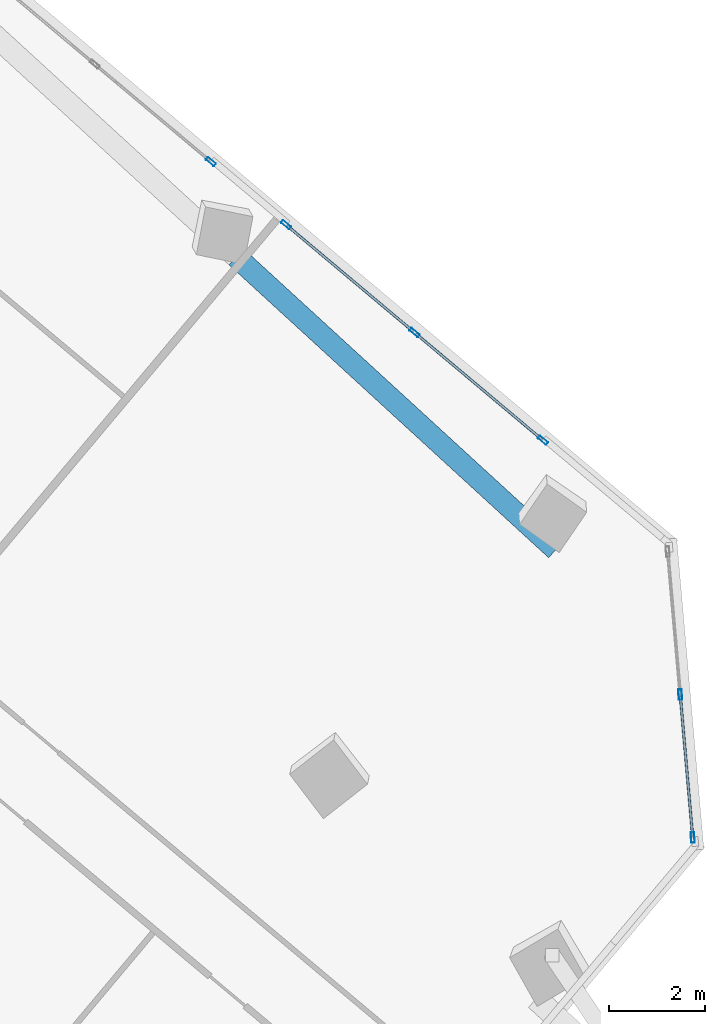
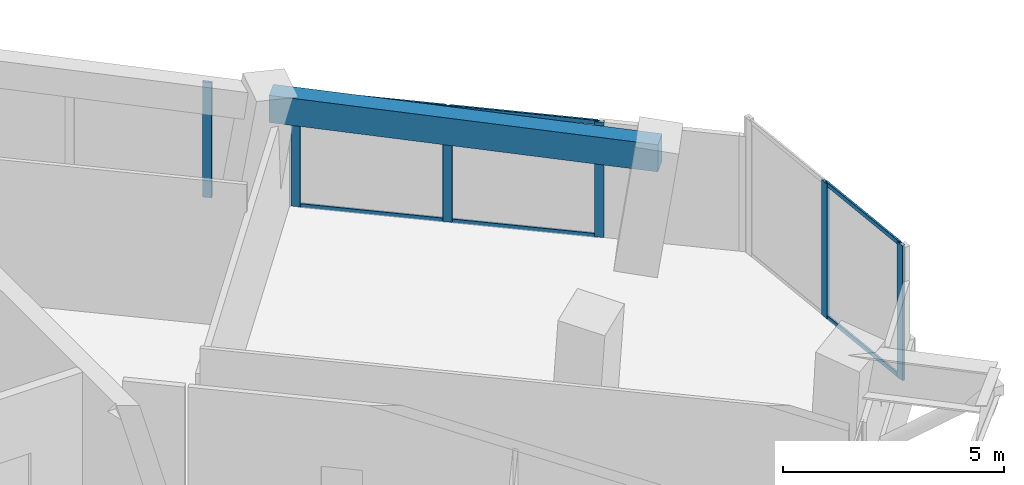
# One storey, part 8 of 18: 12 members, 1 beam, 3 elements without a shape of their own.
"""IFC4 building model written with IfcOpenShell, lengths in metres."""

from ifc_helpers import new_model, si_unit, direction, frame, origin, origin_2d, place, context, subcontext, project, spatial, rectangle, hollow_rectangle, extrude, source, transform, mapped, material, material_profile, profile_set, type_object, element, aggregate, save


model = new_model("IFC4")

# Units and contexts
model_context = context("Model", 3, precision=1e-05, world=origin(), true_north=direction((0.0, 1.0)))
body_context = subcontext(model_context, "Body", "Model", "MODEL_VIEW")
ifc_project = project(units=[si_unit("LENGTHUNIT", "METRE"), si_unit("AREAUNIT", "SQUARE_METRE"), si_unit("VOLUMEUNIT", "CUBIC_METRE"), si_unit("PLANEANGLEUNIT", "RADIAN"), si_unit("MASSUNIT", "GRAM", prefix="KILO")], contexts=[model_context])

# Site, building, storey
site_placement = place(None, origin())
site = spatial("IfcSite", under=ifc_project, at=site_placement, CompositionType="ELEMENT")
building_placement = place(site_placement, origin())
building = spatial("IfcBuilding", under=site, at=building_placement, Name="Torre Montelarca", CompositionType="ELEMENT")
storey_placement = place(building_placement, frame((0.0, 0.0, 224.800048828125)))
storey = spatial("IfcBuildingStorey", under=building, at=storey_placement, Name="L50", CompositionType="ELEMENT", Elevation=224.800048828125)

# Beam
ifc_material_1 = material(Name="Concrete C55/67", Category="concrete")
ifc_material_profile_1 = material_profile(ifc_material_1, rectangle(XDim=0.449951171875, YDim=0.75, at=origin_2d()), Name="RCB450X750", Category="concrete")
ifc_profile_set_1 = profile_set([ifc_material_profile_1], Name="Concrete C55/67")
beam_type = type_object("IfcBeamType", Name="BM-SP-RC750-EXT", PredefinedType="SPANDREL", material=ifc_profile_set_1)
shared_shape_1 = source(origin(), body_context, "Body", "SweptSolid", [
    extrude(rectangle(XDim=0.449951171875, YDim=0.75, at=origin_2d()), origin(), (0.0, 0.0, 1.0), 9.0),
])
beam_placement = place(storey_placement, frame((35.790283203125, 39.4541015625, 3.5849609375), z_axis=(0.73727686361, -0.675590724023, 0.0), x_axis=(0.675590724023, 0.73727686361, 0.0)))
element("IfcBeam", 1, at=beam_placement, inside=storey, type_object=beam_type, Name="L50 Grid Girder X 27.0-36.0 at Y=47.1", PredefinedType="SPANDREL", context=body_context, shape_type="MappedRepresentation", body=[
    mapped(shared_shape_1, transform((0.0, 0.0, 0.0), scale=1.0)),
])

# Curtain wall, members
ifc_material_2 = material(Name="Insulated low-E laminated glass", Category="glass")
curtain_wall_type = type_object("IfcCurtainWallType", Name="CW-SYS-Z3", PredefinedType="USERDEFINED", material=ifc_material_2)
curtain_wall_1_placement = place(storey_placement, origin())
curtain_wall_1 = element("IfcCurtainWall", 2, at=curtain_wall_1_placement, inside=storey, type_object=curtain_wall_type, Name="L50 Curtain Wall Run CW-T3-L50-E08-B1", ObjectType="UNITISED GLAZING", PredefinedType="USERDEFINED")
ifc_material_3 = material(Name="Anodised aluminium AA 6063-T6", Category="aluminium")
ifc_material_profile_2 = material_profile(ifc_material_3, hollow_rectangle(XDim=0.054931640625, YDim=0.1201171875, WallThickness=0.00341796875, InnerFilletRadius=0.00341796875, OuterFilletRadius=0.007080078125, at=origin_2d()), Name="ALU55X120X3.5", Category="aluminium")
ifc_profile_set_2 = profile_set([ifc_material_profile_2], Name="Anodised aluminium AA 6063-T6")
member_type_1 = type_object("IfcMemberType", Name="CWT-ALU120", PredefinedType="USERDEFINED", material=ifc_profile_set_2)
shared_shape_2 = source(origin(), body_context, "Body", "SweptSolid", [
    extrude(hollow_rectangle(XDim=0.054931640625, YDim=0.1201171875, WallThickness=0.00341796875, InnerFilletRadius=0.00341796875, OuterFilletRadius=0.007080078125, at=origin_2d()), origin(), (0.0, 0.0, 1.0), 3.40771484375),
])
member_1_placement = place(storey_placement, frame((42.129150390625, 35.66796875, 0.02734375), z_axis=(-0.766032210407, 0.642802187783, 0.0), x_axis=(-0.642802187783, -0.766032210407, 0.0)))
member_1 = element("IfcMember", 3, at=member_1_placement, type_object=member_type_1, Name="CW transom 1.1", ObjectType="TRANSOM", PredefinedType="USERDEFINED", context=body_context, shape_type="MappedRepresentation", body=[
    mapped(shared_shape_2, transform((0.0, 0.0, 0.0), scale=1.0)),
])
member_2_placement = place(storey_placement, frame((42.129150390625, 35.66796875, 3.1474609375), z_axis=(-0.766032210407, 0.642802187783, 0.0), x_axis=(-0.642802187783, -0.766032210407, 0.0)))
member_2 = element("IfcMember", 4, at=member_2_placement, type_object=member_type_1, Name="CW transom 1.2", ObjectType="TRANSOM", PredefinedType="USERDEFINED", context=body_context, shape_type="MappedRepresentation", body=[
    mapped(shared_shape_2, transform((0.0, 0.0, 0.0), scale=1.0)),
])

curtain_wall_2_placement = place(storey_placement, origin())
curtain_wall_2 = element("IfcCurtainWall", 5, at=curtain_wall_2_placement, inside=storey, type_object=curtain_wall_type, Name="L50 Curtain Wall Run CW-T3-L50-E07-B1", ObjectType="UNITISED GLAZING", PredefinedType="USERDEFINED")
shared_shape_3 = source(origin(), body_context, "Body", "SweptSolid", [
    extrude(hollow_rectangle(XDim=0.054931640625, YDim=0.1201171875, WallThickness=0.00341796875, InnerFilletRadius=0.00341796875, OuterFilletRadius=0.007080078125, at=origin_2d()), origin(), (0.0, 0.0, 1.0), 2.9033203125),
])
member_3_placement = place(storey_placement, frame((45.263671875, 27.435791015625, 0.02734375), z_axis=(-0.08719928677, 0.996190887524, 0.0), x_axis=(-0.996190887524, -0.08719928677, 0.0)))
member_3 = element("IfcMember", 6, at=member_3_placement, type_object=member_type_1, Name="CW transom 1.1", ObjectType="TRANSOM", PredefinedType="USERDEFINED", context=body_context, shape_type="MappedRepresentation", body=[
    mapped(shared_shape_3, transform((0.0, 0.0, 0.0), scale=1.0)),
])
member_4_placement = place(storey_placement, frame((45.263671875, 27.435791015625, 3.6923828125), z_axis=(-0.08719928677, 0.996190887524, 0.0), x_axis=(-0.996190887524, -0.08719928677, 0.0)))
member_4 = element("IfcMember", 7, at=member_4_placement, type_object=member_type_1, Name="CW transom 1.2", ObjectType="TRANSOM", PredefinedType="USERDEFINED", context=body_context, shape_type="MappedRepresentation", body=[
    mapped(shared_shape_3, transform((0.0, 0.0, 0.0), scale=1.0)),
])

# Member
shared_shape_4 = source(origin(), body_context, "Body", "SweptSolid", [
    extrude(hollow_rectangle(XDim=0.054931640625, YDim=0.1201171875, WallThickness=0.00341796875, InnerFilletRadius=0.00341796875, OuterFilletRadius=0.007080078125, at=origin_2d()), origin(), (0.0, 0.0, 1.0), 3.407470703125),
])
member_5_placement = place(storey_placement, frame((39.46142578125, 37.906494140625, 0.02734375), z_axis=(-0.766067489569, 0.642760142997, 0.0), x_axis=(-0.642760142997, -0.766067489569, 0.0)))
member_5 = element("IfcMember", 8, at=member_5_placement, type_object=member_type_1, Name="CW transom 2.1", ObjectType="TRANSOM", PredefinedType="USERDEFINED", context=body_context, shape_type="MappedRepresentation", body=[
    mapped(shared_shape_4, transform((0.0, 0.0, 0.0), scale=1.0)),
])

member_6_placement = place(storey_placement, frame((39.46142578125, 37.906494140625, 3.1474609375), z_axis=(-0.766067489569, 0.642760142997, 0.0), x_axis=(-0.642760142997, -0.766067489569, 0.0)))
member_6 = element("IfcMember", 9, at=member_6_placement, type_object=member_type_1, Name="CW transom 2.2", ObjectType="TRANSOM", PredefinedType="USERDEFINED", context=body_context, shape_type="MappedRepresentation", body=[
    mapped(shared_shape_4, transform((0.0, 0.0, 0.0), scale=1.0)),
])

ifc_material_profile_3 = material_profile(ifc_material_3, hollow_rectangle(XDim=0.074951171875, YDim=0.219970703125, WallThickness=0.0048828125, InnerFilletRadius=0.0048828125, OuterFilletRadius=0.010009765625, at=origin_2d()), Name="ALU75X220X5", Category="aluminium")
ifc_profile_set_3 = profile_set([ifc_material_profile_3], Name="Anodised aluminium AA 6063-T6")
member_type_2 = type_object("IfcMemberType", Name="CWM-ALU220", PredefinedType="MULLION", material=ifc_profile_set_3)
shared_shape_5 = source(origin(), body_context, "Body", "SweptSolid", [
    extrude(hollow_rectangle(XDim=0.074951171875, YDim=0.219970703125, WallThickness=0.0048828125, InnerFilletRadius=0.0048828125, OuterFilletRadius=0.010009765625, at=origin_2d()), origin(), (0.0, 0.0, 1.0), 3.719970703125),
])
member_7_placement = place(storey_placement, frame((45.266845703125, 27.3984375, 0.0), z_axis=(0.0, 0.0, 1.0), x_axis=(-0.996192349816, -0.087182579501, 0.0)))
member_7 = element("IfcMember", 10, at=member_7_placement, type_object=member_type_2, Name="CW mullion 1", PredefinedType="MULLION", context=body_context, shape_type="MappedRepresentation", body=[
    mapped(shared_shape_5, transform((0.0, 0.0, 0.0), scale=1.0)),
])

member_8_placement = place(storey_placement, frame((45.007080078125, 30.365478515625, 0.0), z_axis=(0.0, 0.0, 1.0), x_axis=(-0.996192349816, -0.087182579501, 0.0)))
member_8 = element("IfcMember", 11, at=member_8_placement, type_object=member_type_2, Name="CW mullion 2", PredefinedType="MULLION", context=body_context, shape_type="MappedRepresentation", body=[
    mapped(shared_shape_5, transform((0.0, 0.0, 0.0), scale=1.0)),
])

aggregate(curtain_wall_2, [member_7, member_8, member_3, member_4])

shared_shape_6 = source(origin(), body_context, "Body", "SweptSolid", [
    extrude(hollow_rectangle(XDim=0.074951171875, YDim=0.219970703125, WallThickness=0.0048828125, InnerFilletRadius=0.0048828125, OuterFilletRadius=0.010009765625, at=origin_2d()), origin(), (0.0, 0.0, 1.0), 3.175048828125),
])
member_9_placement = place(storey_placement, frame((42.15771484375, 35.643798828125, 0.0), z_axis=(0.0, 0.0, 1.0), x_axis=(-0.642789243392, -0.766043072274, 0.0)))
member_9 = element("IfcMember", 12, at=member_9_placement, type_object=member_type_2, Name="CW mullion 1", PredefinedType="MULLION", context=body_context, shape_type="MappedRepresentation", body=[
    mapped(shared_shape_6, transform((0.0, 0.0, 0.0), scale=1.0)),
])

member_10_placement = place(storey_placement, frame((39.489990234375, 37.88232421875, 0.0), z_axis=(0.0, 0.0, 1.0), x_axis=(-0.642789243392, -0.766043072274, 0.0)))
member_10 = element("IfcMember", 13, at=member_10_placement, type_object=member_type_2, Name="CW mullion 2", PredefinedType="MULLION", context=body_context, shape_type="MappedRepresentation", body=[
    mapped(shared_shape_6, transform((0.0, 0.0, 0.0), scale=1.0)),
])

member_11_placement = place(storey_placement, frame((36.822265625, 40.120849609375, 0.0), z_axis=(0.0, 0.0, 1.0), x_axis=(-0.642789243392, -0.766043072274, 0.0)))
member_11 = element("IfcMember", 14, at=member_11_placement, type_object=member_type_2, Name="CW mullion 3", PredefinedType="MULLION", context=body_context, shape_type="MappedRepresentation", body=[
    mapped(shared_shape_6, transform((0.0, 0.0, 0.0), scale=1.0)),
])

aggregate(curtain_wall_1, [member_9, member_10, member_11, member_1, member_2, member_5, member_6])

# Curtain wall, member
curtain_wall_3_placement = place(storey_placement, origin())
curtain_wall_3 = element("IfcCurtainWall", 15, at=curtain_wall_3_placement, inside=storey, type_object=curtain_wall_type, Name="L50 Curtain Wall Run CW-T3-L50-E08-B2", ObjectType="UNITISED GLAZING", PredefinedType="USERDEFINED")
member_12_placement = place(storey_placement, frame((35.263427734375, 41.428955078125, 0.0), z_axis=(0.0, 0.0, 1.0), x_axis=(-0.642784810005, -0.766046792322, 0.0)))
member_12 = element("IfcMember", 16, at=member_12_placement, type_object=member_type_2, Name="CW mullion 1", PredefinedType="MULLION", context=body_context, shape_type="MappedRepresentation", body=[
    mapped(shared_shape_6, transform((0.0, 0.0, 0.0), scale=1.0)),
])
aggregate(curtain_wall_3, [member_12])

save(model, "model.ifc")
